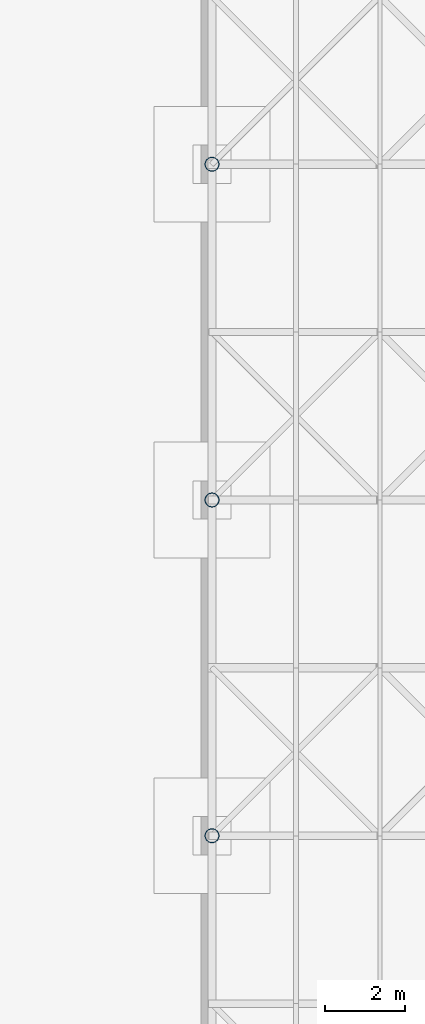
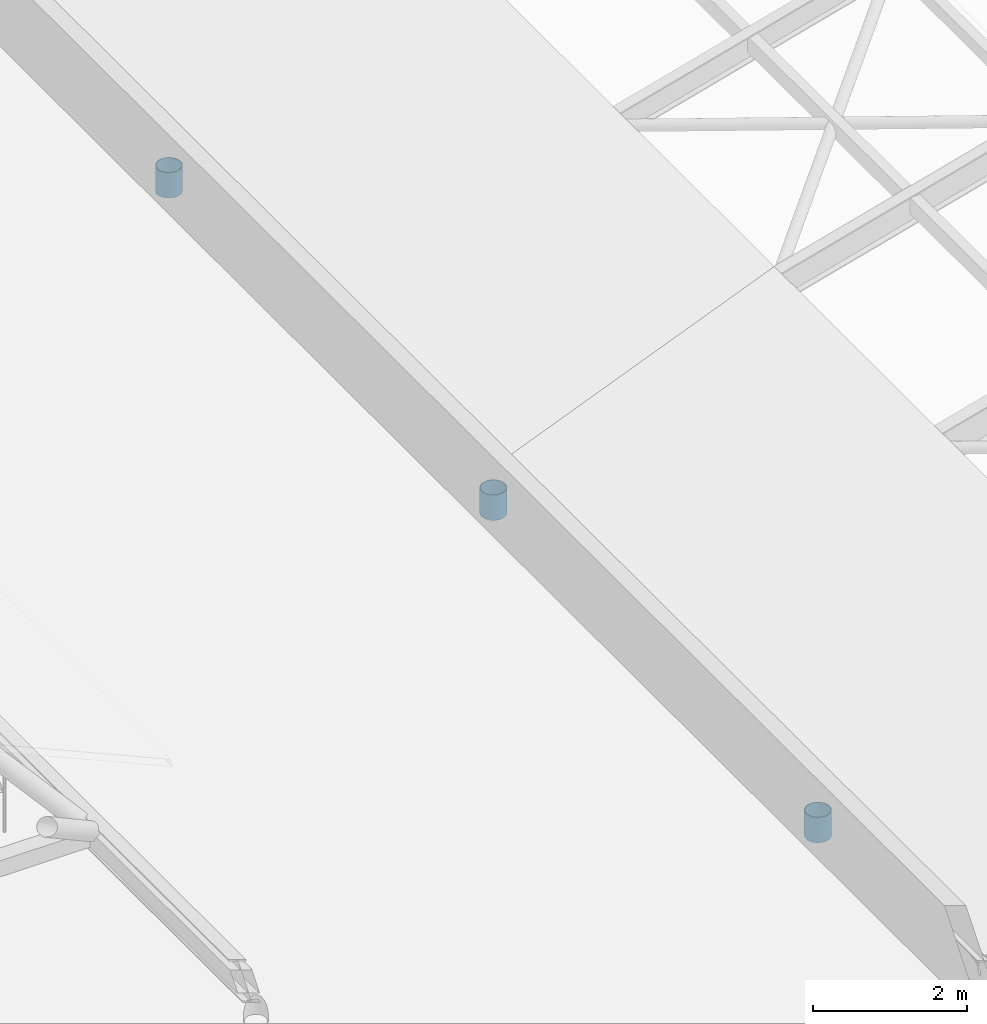
# One storey, part 12 of 85: 3 columns.
"""IFC4 building model written with IfcOpenShell, lengths in metres."""

from ifc_helpers import new_model, si_unit, direction, frame, origin, origin_2d, place, context, subcontext, project, spatial, hollow_circle, extrude, material, material_profile, profile_set, type_object, element, save


model = new_model("IFC4")

# Units and contexts
model_context = context("Model", 3, precision=1e-05, world=origin(), true_north=direction((0.0, 1.0)))
body_context = subcontext(model_context, "Body", "Model", "MODEL_VIEW")
ifc_project = project(units=[si_unit("LENGTHUNIT", "METRE"), si_unit("AREAUNIT", "SQUARE_METRE"), si_unit("VOLUMEUNIT", "CUBIC_METRE"), si_unit("PLANEANGLEUNIT", "RADIAN"), si_unit("MASSUNIT", "GRAM", prefix="KILO")], contexts=[model_context])

# Site, building, storey
site_placement = place(None, origin())
site = spatial("IfcSite", under=ifc_project, at=site_placement, CompositionType="ELEMENT")
building_placement = place(site_placement, origin())
building = spatial("IfcBuilding", under=site, at=building_placement, Name="Almacenes y Pasaje Nevantli", CompositionType="ELEMENT")
storey_placement = place(building_placement, frame((0.0, 0.0, 22.199951171875)))
storey = spatial("IfcBuildingStorey", under=building, at=storey_placement, Name="L05", CompositionType="ELEMENT", Elevation=22.199951171875)

# Columns
ifc_material = material(Name="Steel ASTM A500 Grade C", Category="steel")
ifc_material_profile = material_profile(ifc_material, hollow_circle(Radius=0.177734375, WallThickness=0.010986328125, at=origin_2d()), Name="OC 356x11.1")
ifc_profile_set = profile_set([ifc_material_profile], Name="Steel ASTM A500 Grade C")
column_type = type_object("IfcColumnType", Name="COL-STL-OC356", PredefinedType="COLUMN", material=ifc_profile_set)
for number, where, z_axis, x_axis, name in (
    (1, (67.199951171875, 42.0, 0.0), (0.0, 0.0, 1.0), (1.0, 0.0, 0.0), "L05 Arcade Barrel Vault West Springline Pedestal #6"),
    (2, (67.199951171875, 50.39990234375, 0.0), (0.0, 0.0, 1.0), (1.0, 0.0, 0.0), "L05 Arcade Barrel Vault West Springline Pedestal #7"),
    (3, (67.199951171875, 58.800048828125, 0.0), (0.0, 0.0, 1.0), (1.0, 0.0, 0.0), "L05 Arcade Barrel Vault West Springline Pedestal #8"),
):
    element("IfcColumn", number, at=place(storey_placement, frame(where, z_axis=z_axis, x_axis=x_axis)), inside=storey, type_object=column_type, Name=name, PredefinedType="COLUMN", context=body_context, shape_type="SweptSolid", body=[
        extrude(hollow_circle(Radius=0.177734375, WallThickness=0.010986328125, at=origin_2d()), origin(), (0.0, 0.0, 1.0), 0.400146484375),
    ])

save(model, "model.ifc")
